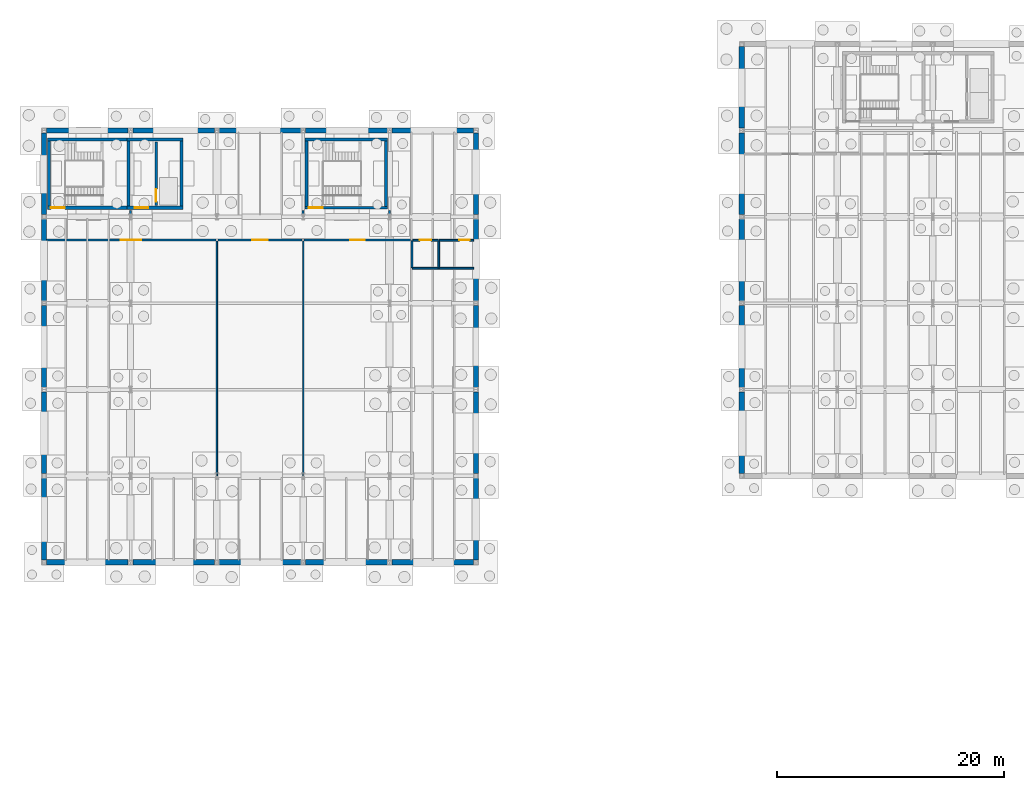
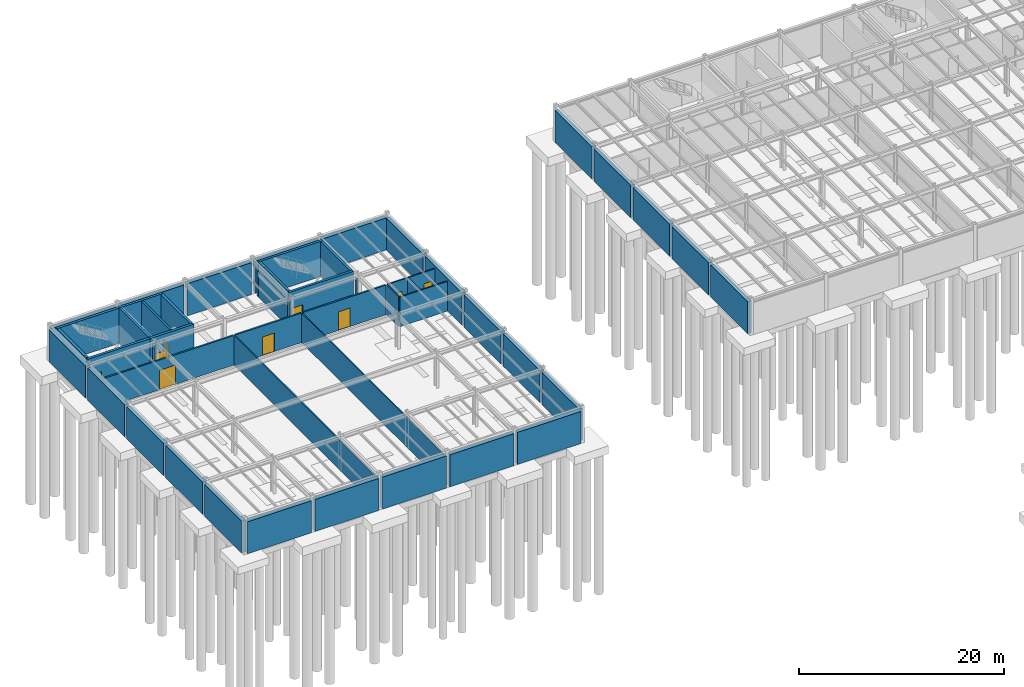
# One storey, part 25 of 33: 50 walls, 9 doors, 9 openings.
"""IFC4 building model written with IfcOpenShell, lengths in metres."""

from ifc_helpers import new_model, si_unit, direction, frame, frame_2d, origin, place, context, subcontext, project, spatial, rectangle, extrude, material, layer, layer_set, type_object, element, fill, save


model = new_model("IFC4")

# Units and contexts
model_context = context("Model", 3, precision=1e-05, world=origin(), true_north=direction((0.0, 1.0)))
body_context = subcontext(model_context, "Body", "Model", "MODEL_VIEW")
ifc_project = project(units=[si_unit("LENGTHUNIT", "METRE"), si_unit("AREAUNIT", "SQUARE_METRE"), si_unit("VOLUMEUNIT", "CUBIC_METRE"), si_unit("PLANEANGLEUNIT", "RADIAN"), si_unit("MASSUNIT", "GRAM", prefix="KILO")], contexts=[model_context])

# Site, building, storey
site_placement = place(None, origin())
site = spatial("IfcSite", under=ifc_project, at=site_placement, CompositionType="ELEMENT")
building_placement = place(site_placement, origin())
building = spatial("IfcBuilding", under=site, at=building_placement, Name="Montecoro Central Library", CompositionType="ELEMENT")
storey_placement = place(building_placement, frame((0.0, 0.0, -4.419921875)))
storey = spatial("IfcBuildingStorey", under=building, at=storey_placement, Name="B1", CompositionType="ELEMENT", Elevation=-4.419921875)

# Walls
ifc_material_1 = material(Name="Concrete C35/45", Category="concrete")
ifc_layer_1 = layer(ifc_material_1, 0.455078125)
ifc_layer_set_1 = layer_set([ifc_layer_1], Name="Concrete C35/45")
wall_type_1 = type_object("IfcWallType", Name="EW-RET-455", PredefinedType="USERDEFINED", material=ifc_layer_set_1)
for number, where, z_axis, x_axis, name in (
    (1, (66.39990234375, 81.202880859375, 0.0), (0.0, 0.0, 1.0), (0.0, 1.0, 0.0), "V2-B1-RW-W-L"),
    (2, (66.39990234375, 88.802978515625, 0.0), (0.0, 0.0, 1.0), (0.0, 1.0, 0.0), "V2-B1-RW-W-M"),
):
    element("IfcWall", number, at=place(storey_placement, frame(where, z_axis=z_axis, x_axis=x_axis)), inside=storey, type_object=wall_type_1, Name=name, ObjectType="RETAININGWALL", PredefinedType="USERDEFINED", context=body_context, shape_type="SweptSolid", body=[
        extrude(rectangle(XDim=7.194091796875, YDim=0.455078125, at=frame_2d((3.59716796875, 0.0))), origin(), (0.0, 0.0, 1.0), 3.81982421875),
    ])
wall_1_placement = place(storey_placement, frame((66.39990234375, 96.403076171875, 0.0), z_axis=(0.0, 0.0, 1.0), x_axis=(0.0, 1.0, 0.0)))
element("IfcWall", 3, at=wall_1_placement, inside=storey, type_object=wall_type_1, Name="V2-B1-RW-W-N", ObjectType="RETAININGWALL", PredefinedType="USERDEFINED", context=body_context, shape_type="SweptSolid", body=[
    extrude(rectangle(XDim=7.19384765625, YDim=0.455078125, at=frame_2d((3.596923828125, 0.0))), origin(), (0.0, 0.0, 1.0), 3.81982421875),
])
for number, where, z_axis, x_axis, name in (
    (4, (66.39990234375, 104.0029296875, 0.0), (0.0, 0.0, 1.0), (0.0, 1.0, 0.0), "V2-B1-RW-W-P"),
    (5, (66.39990234375, 111.60302734375, 0.0), (0.0, 0.0, 1.0), (0.0, 1.0, 0.0), "V2-B1-RW-W-Q"),
    (6, (5.202880859375, 73.39990234375, 0.0), (0.0, 0.0, 1.0), (1.0, 0.0, 0.0), "V4-B1-RW-S-1"),
    (7, (5.202880859375, 111.39990234375, 0.0), (0.0, 0.0, 1.0), (1.0, 0.0, 0.0), "V4-B1-RW-N-1"),
    (8, (12.802978515625, 73.39990234375, 0.0), (0.0, 0.0, 1.0), (1.0, 0.0, 0.0), "V4-B1-RW-S-2"),
    (9, (12.802978515625, 111.39990234375, 0.0), (0.0, 0.0, 1.0), (1.0, 0.0, 0.0), "V4-B1-RW-N-2"),
):
    element("IfcWall", number, at=place(storey_placement, frame(where, z_axis=z_axis, x_axis=x_axis)), inside=storey, type_object=wall_type_1, Name=name, ObjectType="RETAININGWALL", PredefinedType="USERDEFINED", context=body_context, shape_type="SweptSolid", body=[
        extrude(rectangle(XDim=7.194091796875, YDim=0.455078125, at=frame_2d((3.59716796875, 0.0))), origin(), (0.0, 0.0, 1.0), 3.81982421875),
    ])
for number, where, z_axis, x_axis, name in (
    (10, (20.403076171875, 73.39990234375, 0.0), (0.0, 0.0, 1.0), (1.0, 0.0, 0.0), "V4-B1-RW-S-3"),
    (11, (20.403076171875, 111.39990234375, 0.0), (0.0, 0.0, 1.0), (1.0, 0.0, 0.0), "V4-B1-RW-N-3"),
):
    element("IfcWall", number, at=place(storey_placement, frame(where, z_axis=z_axis, x_axis=x_axis)), inside=storey, type_object=wall_type_1, Name=name, ObjectType="RETAININGWALL", PredefinedType="USERDEFINED", context=body_context, shape_type="SweptSolid", body=[
        extrude(rectangle(XDim=7.19384765625, YDim=0.455078125, at=frame_2d((3.596923828125, 0.0))), origin(), (0.0, 0.0, 1.0), 3.81982421875),
    ])
for number, where, z_axis, x_axis, name in (
    (12, (28.0029296875, 73.39990234375, 0.0), (0.0, 0.0, 1.0), (1.0, 0.0, 0.0), "V4-B1-RW-S-4"),
    (13, (28.0029296875, 111.39990234375, 0.0), (0.0, 0.0, 1.0), (1.0, 0.0, 0.0), "V4-B1-RW-N-4"),
    (14, (35.60302734375, 73.39990234375, 0.0), (0.0, 0.0, 1.0), (1.0, 0.0, 0.0), "V4-B1-RW-S-5"),
    (15, (35.60302734375, 111.39990234375, 0.0), (0.0, 0.0, 1.0), (1.0, 0.0, 0.0), "V4-B1-RW-N-5"),
    (16, (5.0, 73.60302734375, 0.0), (0.0, 0.0, 1.0), (0.0, 1.0, 0.0), "V4-B1-RW-W-K"),
    (17, (43.0, 73.60302734375, 0.0), (0.0, 0.0, 1.0), (0.0, 1.0, 0.0), "V4-B1-RW-E-K"),
    (18, (5.0, 81.202880859375, 0.0), (0.0, 0.0, 1.0), (0.0, 1.0, 0.0), "V4-B1-RW-W-L"),
    (19, (43.0, 81.202880859375, 0.0), (0.0, 0.0, 1.0), (0.0, 1.0, 0.0), "V4-B1-RW-E-L"),
    (20, (5.0, 88.802978515625, 0.0), (0.0, 0.0, 1.0), (0.0, 1.0, 0.0), "V4-B1-RW-W-M"),
    (21, (43.0, 88.802978515625, 0.0), (0.0, 0.0, 1.0), (0.0, 1.0, 0.0), "V4-B1-RW-E-M"),
):
    element("IfcWall", number, at=place(storey_placement, frame(where, z_axis=z_axis, x_axis=x_axis)), inside=storey, type_object=wall_type_1, Name=name, ObjectType="RETAININGWALL", PredefinedType="USERDEFINED", context=body_context, shape_type="SweptSolid", body=[
        extrude(rectangle(XDim=7.194091796875, YDim=0.455078125, at=frame_2d((3.59716796875, 0.0))), origin(), (0.0, 0.0, 1.0), 3.81982421875),
    ])
for number, where, z_axis, x_axis, name in (
    (22, (5.0, 96.403076171875, 0.0), (0.0, 0.0, 1.0), (0.0, 1.0, 0.0), "V4-B1-RW-W-N"),
    (23, (43.0, 96.403076171875, 0.0), (0.0, 0.0, 1.0), (0.0, 1.0, 0.0), "V4-B1-RW-E-N"),
):
    element("IfcWall", number, at=place(storey_placement, frame(where, z_axis=z_axis, x_axis=x_axis)), inside=storey, type_object=wall_type_1, Name=name, ObjectType="RETAININGWALL", PredefinedType="USERDEFINED", context=body_context, shape_type="SweptSolid", body=[
        extrude(rectangle(XDim=7.19384765625, YDim=0.455078125, at=frame_2d((3.596923828125, 0.0))), origin(), (0.0, 0.0, 1.0), 3.81982421875),
    ])
for number, where, z_axis, x_axis, name in (
    (24, (5.0, 104.0029296875, 0.0), (0.0, 0.0, 1.0), (0.0, 1.0, 0.0), "V4-B1-RW-W-P"),
    (25, (43.0, 104.0029296875, 0.0), (0.0, 0.0, 1.0), (0.0, 1.0, 0.0), "V4-B1-RW-E-P"),
):
    element("IfcWall", number, at=place(storey_placement, frame(where, z_axis=z_axis, x_axis=x_axis)), inside=storey, type_object=wall_type_1, Name=name, ObjectType="RETAININGWALL", PredefinedType="USERDEFINED", context=body_context, shape_type="SweptSolid", body=[
        extrude(rectangle(XDim=7.194091796875, YDim=0.455078125, at=frame_2d((3.59716796875, 0.0))), origin(), (0.0, 0.0, 1.0), 3.81982421875),
    ])

# Wall, opening, door
ifc_material_2 = material(Name="Gypsum fire-rated partition")
ifc_layer_2 = layer(ifc_material_2, 0.179931640625)
ifc_layer_set_2 = layer_set([ifc_layer_2], Name="Gypsum fire-rated partition")
wall_type_2 = type_object("IfcWallType", Name="IW-COR-180", PredefinedType="PARTITIONING", material=ifc_layer_set_2)
wall_2_placement = place(storey_placement, frame((5.199951171875, 101.75, 0.0), z_axis=(0.0, 0.0, 1.0), x_axis=(1.0, 0.0, 0.0)))
wall_2 = element("IfcWall", 26, at=wall_2_placement, inside=storey, type_object=wall_type_2, Name="CORW-V4-B1-01", PredefinedType="PARTITIONING", context=body_context, shape_type="SweptSolid", body=[
    extrude(rectangle(XDim=14.91015625, YDim=0.179931640625, at=frame_2d((7.455078125, 0.0))), origin(), (0.0, 0.0, 1.0), 3.52001953125),
])
opening_1_placement = place(wall_2_placement, frame((6.554931640625, 0.0, 0.0)))
opening_1 = element("IfcOpeningElement", 27, at=opening_1_placement, cuts=wall_2, Name="Opening ID-10", PredefinedType="OPENING", context=body_context, shape_type="SweptSolid", body=[
    extrude(rectangle(XDim=1.800048828125, YDim=2.300048828125, at=frame_2d((0.89990234375, 1.14990234375))), frame((0.0, 0.099853515625, 0.0), z_axis=(0.0, -1.0, 0.0), x_axis=(1.0, 0.0, 0.0)), (0.0, 0.0, 1.0), 0.199951171875),
])
ifc_material_3 = material(Name="Solid oak and fire-rated steel door", Category="steel")
door_type_1 = type_object("IfcDoorType", Name="ID-AUD-180", OperationType="NOTDEFINED", PredefinedType="DOOR", material=ifc_material_3)
door_1_placement = place(opening_1_placement, origin())
door_1 = element("IfcDoor", 28, at=door_1_placement, inside=storey, type_object=door_type_1, Name="DR-SP-V4-B1-R1P1", OperationType="DOUBLE_DOOR_SINGLE_SWING", OverallHeight=2.300048828125, OverallWidth=1.800048828125, PredefinedType="DOOR", context=body_context, shape_type="SweptSolid", body=[
    extrude(rectangle(XDim=1.800048828125, YDim=2.300048828125, at=frame_2d((0.89990234375, 1.14990234375))), frame((0.0, 0.02490234375, 0.0), z_axis=(0.0, -1.0, 0.0), x_axis=(1.0, 0.0, 0.0)), (0.0, 0.0, 1.0), 0.050048828125),
])
fill(opening_1, door_1)

wall_3_placement = place(storey_placement, frame((20.2900390625, 101.75, 0.0), z_axis=(0.0, 0.0, 1.0), x_axis=(1.0, 0.0, 0.0)))
wall_3 = element("IfcWall", 29, at=wall_3_placement, inside=storey, type_object=wall_type_2, Name="CORW-V4-B1-02", PredefinedType="PARTITIONING", context=body_context, shape_type="SweptSolid", body=[
    extrude(rectangle(XDim=7.419921875, YDim=0.179931640625, at=frame_2d((3.7099609375, 0.0))), origin(), (0.0, 0.0, 1.0), 3.52001953125),
])
opening_2_placement = place(wall_3_placement, frame((3.030029296875, 0.0, 0.0)))
opening_2 = element("IfcOpeningElement", 30, at=opening_2_placement, cuts=wall_3, Name="Opening ID-05", PredefinedType="OPENING", context=body_context, shape_type="SweptSolid", body=[
    extrude(rectangle(XDim=1.360107421875, YDim=2.199951171875, at=frame_2d((0.68017578125, 1.10009765625))), frame((0.0, 0.099853515625, 0.0), z_axis=(0.0, -1.0, 0.0), x_axis=(1.0, 0.0, 0.0)), (0.0, 0.0, 1.0), 0.199951171875),
])
door_type_2 = type_object("IfcDoorType", Name="ID-VLT-136", OperationType="NOTDEFINED", PredefinedType="DOOR", material=ifc_material_3)
door_2_placement = place(opening_2_placement, origin())
door_2 = element("IfcDoor", 31, at=door_2_placement, inside=storey, type_object=door_type_2, Name="DR-SP-V4-B1-R2P1", OperationType="SINGLE_SWING_RIGHT", OverallHeight=2.199951171875, OverallWidth=1.360107421875, PredefinedType="DOOR", context=body_context, shape_type="SweptSolid", body=[
    extrude(rectangle(XDim=1.360107421875, YDim=2.199951171875, at=frame_2d((0.68017578125, 1.10009765625))), frame((0.0, 0.02490234375, 0.0), z_axis=(0.0, -1.0, 0.0), x_axis=(1.0, 0.0, 0.0)), (0.0, 0.0, 1.0), 0.050048828125),
])
fill(opening_2, door_2)

wall_4_placement = place(storey_placement, frame((27.889892578125, 101.75, 0.0), z_axis=(0.0, 0.0, 1.0), x_axis=(1.0, 0.0, 0.0)))
wall_4 = element("IfcWall", 32, at=wall_4_placement, inside=storey, type_object=wall_type_2, Name="CORW-V4-B1-03", PredefinedType="PARTITIONING", context=body_context, shape_type="SweptSolid", body=[
    extrude(rectangle(XDim=9.3701171875, YDim=0.179931640625, at=frame_2d((4.68505859375, 0.0))), origin(), (0.0, 0.0, 1.0), 3.52001953125),
])
opening_3_placement = place(wall_4_placement, frame((4.034912109375, 0.0, 0.0)))
opening_3 = element("IfcOpeningElement", 33, at=opening_3_placement, cuts=wall_4, Name="Opening ID-04", PredefinedType="OPENING", context=body_context, shape_type="SweptSolid", body=[
    extrude(rectangle(XDim=1.300048828125, YDim=2.199951171875, at=frame_2d((0.64990234375, 1.10009765625))), frame((0.0, 0.099853515625, 0.0), z_axis=(0.0, -1.0, 0.0), x_axis=(1.0, 0.0, 0.0)), (0.0, 0.0, 1.0), 0.199951171875),
])
door_type_3 = type_object("IfcDoorType", Name="ID-VLT-130", OperationType="NOTDEFINED", PredefinedType="DOOR", material=ifc_material_3)
door_3_placement = place(opening_3_placement, origin())
door_3 = element("IfcDoor", 34, at=door_3_placement, inside=storey, type_object=door_type_3, Name="DR-SP-V4-B1-R3P1", OperationType="SINGLE_SWING_LEFT", OverallHeight=2.199951171875, OverallWidth=1.300048828125, PredefinedType="DOOR", context=body_context, shape_type="SweptSolid", body=[
    extrude(rectangle(XDim=1.300048828125, YDim=2.199951171875, at=frame_2d((0.64990234375, 1.10009765625))), frame((0.0, 0.02490234375, 0.0), z_axis=(0.0, -1.0, 0.0), x_axis=(1.0, 0.0, 0.0)), (0.0, 0.0, 1.0), 0.050048828125),
])
fill(opening_3, door_3)

# Walls
for number, where, z_axis, x_axis, name in (
    (35, (12.60009765625, 104.0400390625, 0.0), (0.0, 0.0, 1.0), (0.0, 1.0, 0.0), "PIL-V4-B1-1"),
    (36, (27.800048828125, 104.0400390625, 0.0), (0.0, 0.0, 1.0), (0.0, 1.0, 0.0), "PIL-V4-B1-2"),
    (37, (35.39990234375, 104.0400390625, 0.0), (0.0, 0.0, 1.0), (0.0, 1.0, 0.0), "PIL-V4-B1-3"),
):
    element("IfcWall", number, at=place(storey_placement, frame(where, z_axis=z_axis, x_axis=x_axis)), inside=storey, type_object=wall_type_2, Name=name, PredefinedType="PARTITIONING", context=body_context, shape_type="SweptSolid", body=[
        extrude(rectangle(XDim=0.320068359375, YDim=0.179931640625, at=frame_2d((0.16015625, 0.0))), origin(), (0.0, 0.0, 1.0), 3.52001953125),
    ])

# Wall, opening, door
ifc_material_4 = material(Name="Concrete C32/40", Category="concrete")
ifc_layer_3 = layer(ifc_material_4, 0.219970703125)
ifc_layer_set_3 = layer_set([ifc_layer_3], Name="Concrete C32/40")
wall_type_3 = type_object("IfcWallType", Name="IW-FFL-220", PredefinedType="SOLIDWALL", material=ifc_layer_set_3)
wall_5_placement = place(storey_placement, frame((14.85009765625, 104.800048828125, 0.0), z_axis=(0.0, 0.0, 1.0), x_axis=(0.0, 1.0, 0.0)))
wall_5 = element("IfcWall", 38, at=wall_5_placement, inside=storey, type_object=wall_type_3, Name="C5-B1-WLSH", PredefinedType="SOLIDWALL", context=body_context, shape_type="SweptSolid", body=[
    extrude(rectangle(XDim=5.599853515625, YDim=0.219970703125, at=frame_2d((2.7998046875, 0.0))), origin(), (0.0, 0.0, 1.0), 4.184814453125),
])
opening_4_placement = place(wall_5_placement, frame((0.35009765625, 0.0, 0.0)))
opening_4 = element("IfcOpeningElement", 39, at=opening_4_placement, cuts=wall_5, Name="Opening LD-01", PredefinedType="OPENING", context=body_context, shape_type="SweptSolid", body=[
    extrude(rectangle(XDim=1.10009765625, YDim=2.14990234375, at=frame_2d((0.550048828125, 1.074951171875))), frame((0.0, 0.119873046875, 0.0), z_axis=(0.0, -1.0, 0.0), x_axis=(1.0, 0.0, 0.0)), (0.0, 0.0, 1.0), 0.239990234375),
])
door_type_4 = type_object("IfcDoorType", Name="LD-LIFT-110", OperationType="NOTDEFINED", PredefinedType="DOOR", material=ifc_material_3)
door_4_placement = place(opening_4_placement, origin())
door_4 = element("IfcDoor", 40, at=door_4_placement, inside=storey, type_object=door_type_4, Name="C5-B1-LD-PL-05", OperationType="SLIDING_TO_LEFT", OverallHeight=2.14990234375, OverallWidth=1.10009765625, PredefinedType="DOOR", context=body_context, shape_type="SweptSolid", body=[
    extrude(rectangle(XDim=1.10009765625, YDim=2.14990234375, at=frame_2d((0.550048828125, 1.074951171875))), frame((0.0, 0.02490234375, 0.0), z_axis=(0.0, -1.0, 0.0), x_axis=(1.0, 0.0, 0.0)), (0.0, 0.0, 1.0), 0.050048828125),
])
fill(opening_4, door_4)

# Walls
ifc_material_5 = material(Name="Gypsum metal-stud partition")
ifc_layer_4 = layer(ifc_material_5, 0.1201171875)
ifc_layer_set_4 = layer_set([ifc_layer_4], Name="Gypsum metal-stud partition")
wall_type_4 = type_object("IfcWallType", Name="IW-PRT-120", PredefinedType="PARTITIONING", material=ifc_layer_set_4)
wall_6_placement = place(storey_placement, frame((27.800048828125, 73.719970703125, 0.0), z_axis=(0.0, 0.0, 1.0), x_axis=(0.0, 1.0, 0.0)))
element("IfcWall", 41, at=wall_6_placement, inside=storey, type_object=wall_type_4, Name="DIVW-V4-B1-02-1", PredefinedType="PARTITIONING", context=body_context, shape_type="SweptSolid", body=[
    extrude(rectangle(XDim=27.93994140625, YDim=0.1201171875, at=frame_2d((13.969970703125, 0.0))), origin(), (0.0, 0.0, 1.0), 3.52001953125),
])
ifc_layer_5 = layer(ifc_material_5, 0.139892578125)
ifc_layer_set_5 = layer_set([ifc_layer_5], Name="Gypsum metal-stud partition")
wall_type_5 = type_object("IfcWallType", Name="IW-PRT-140", PredefinedType="PARTITIONING", material=ifc_layer_set_5)
wall_7_placement = place(storey_placement, frame((20.199951171875, 73.719970703125, 0.0), z_axis=(0.0, 0.0, 1.0), x_axis=(0.0, 1.0, 0.0)))
element("IfcWall", 42, at=wall_7_placement, inside=storey, type_object=wall_type_5, Name="DIVW-V4-B1-01-1", PredefinedType="PARTITIONING", context=body_context, shape_type="SweptSolid", body=[
    extrude(rectangle(XDim=27.93994140625, YDim=0.139892578125, at=frame_2d((13.969970703125, 0.0))), origin(), (0.0, 0.0, 1.0), 3.52001953125),
])

# Wall, opening, door
ifc_layer_6 = layer(ifc_material_1, 0.260009765625)
ifc_layer_set_6 = layer_set([ifc_layer_6], Name="Concrete C35/45")
wall_type_6 = type_object("IfcWallType", Name="IW-SHR-260", PredefinedType="SHEAR", material=ifc_layer_set_6)
wall_8_placement = place(storey_placement, frame((27.969970703125, 104.60009765625, 0.0), z_axis=(0.0, 0.0, 1.0), x_axis=(1.0, 0.0, 0.0)))
wall_8 = element("IfcWall", 43, at=wall_8_placement, inside=storey, type_object=wall_type_6, Name="C9-B1-WS", PredefinedType="SHEAR", context=body_context, shape_type="SweptSolid", body=[
    extrude(rectangle(XDim=7.260009765625, YDim=0.260009765625, at=frame_2d((3.6298828125, 0.0))), origin(), (0.0, 0.0, 1.0), 4.184814453125),
])
opening_5_placement = place(wall_8_placement, frame((0.31005859375, 0.0, 0.0)))
opening_5 = element("IfcOpeningElement", 44, at=opening_5_placement, cuts=wall_8, Name="Opening ID-01", PredefinedType="OPENING", context=body_context, shape_type="SweptSolid", body=[
    extrude(rectangle(XDim=1.219970703125, YDim=2.179931640625, at=frame_2d((0.60986328125, 1.08984375))), frame((0.0, 0.139892578125, 0.0), z_axis=(0.0, -1.0, 0.0), x_axis=(1.0, 0.0, 0.0)), (0.0, 0.0, 1.0), 0.280029296875),
])
door_type_5 = type_object("IfcDoorType", Name="ID-STR-140", OperationType="NOTDEFINED", PredefinedType="DOOR", material=ifc_material_3)
door_5_placement = place(opening_5_placement, origin())
door_5 = element("IfcDoor", 45, at=door_5_placement, inside=storey, type_object=door_type_5, Name="C9-B1-DSTR", OperationType="SINGLE_SWING_LEFT", OverallHeight=2.179931640625, OverallWidth=1.219970703125, PredefinedType="DOOR", context=body_context, shape_type="SweptSolid", body=[
    extrude(rectangle(XDim=1.219970703125, YDim=2.179931640625, at=frame_2d((0.60986328125, 1.08984375))), frame((0.0, 0.02490234375, 0.0), z_axis=(0.0, -1.0, 0.0), x_axis=(1.0, 0.0, 0.0)), (0.0, 0.0, 1.0), 0.050048828125),
])
fill(opening_5, door_5)

# Walls
wall_9_placement = place(storey_placement, frame((27.969970703125, 110.60009765625, 0.0), z_axis=(0.0, 0.0, 1.0), x_axis=(1.0, 0.0, 0.0)))
element("IfcWall", 46, at=wall_9_placement, inside=storey, type_object=wall_type_6, Name="C9-B1-WN", PredefinedType="SHEAR", context=body_context, shape_type="SweptSolid", body=[
    extrude(rectangle(XDim=7.260009765625, YDim=0.260009765625, at=frame_2d((3.6298828125, 0.0))), origin(), (0.0, 0.0, 1.0), 4.184814453125),
])
for number, where, z_axis, x_axis, name in (
    (47, (28.10009765625, 104.72998046875, 0.0), (0.0, 0.0, 1.0), (0.0, 1.0, 0.0), "C9-B1-WW"),
    (48, (35.10009765625, 104.72998046875, 0.0), (0.0, 0.0, 1.0), (0.0, 1.0, 0.0), "C9-B1-WE"),
):
    element("IfcWall", number, at=place(storey_placement, frame(where, z_axis=z_axis, x_axis=x_axis)), inside=storey, type_object=wall_type_6, Name=name, PredefinedType="SHEAR", context=body_context, shape_type="SweptSolid", body=[
        extrude(rectangle(XDim=5.739990234375, YDim=0.260009765625, at=frame_2d((2.8701171875, 0.0))), origin(), (0.0, 0.0, 1.0), 4.184814453125),
    ])

# Wall, opening, door
ifc_layer_7 = layer(ifc_material_1, 0.280029296875)
ifc_layer_set_7 = layer_set([ifc_layer_7], Name="Concrete C35/45")
wall_type_7 = type_object("IfcWallType", Name="IW-SHR-280", PredefinedType="SHEAR", material=ifc_layer_set_7)
wall_10_placement = place(storey_placement, frame((12.280029296875, 104.60009765625, 0.0), z_axis=(0.0, 0.0, 1.0), x_axis=(1.0, 0.0, 0.0)))
wall_10 = element("IfcWall", 49, at=wall_10_placement, inside=storey, type_object=wall_type_7, Name="C5-B1-LWS", PredefinedType="SHEAR", context=body_context, shape_type="SweptSolid", body=[
    extrude(rectangle(XDim=4.9599609375, YDim=0.280029296875, at=frame_2d((2.47998046875, 0.0))), origin(), (0.0, 0.0, 1.0), 4.184814453125),
])
opening_6_placement = place(wall_10_placement, frame((0.68994140625, 0.0, 0.0)))
opening_6 = element("IfcOpeningElement", 50, at=opening_6_placement, cuts=wall_10, Name="Opening ID-03", PredefinedType="OPENING", context=body_context, shape_type="SweptSolid", body=[
    extrude(rectangle(XDim=1.199951171875, YDim=2.159912109375, at=frame_2d((0.60009765625, 1.080078125))), frame((0.0, 0.14990234375, 0.0), z_axis=(0.0, -1.0, 0.0), x_axis=(1.0, 0.0, 0.0)), (0.0, 0.0, 1.0), 0.300048828125),
])
door_type_6 = type_object("IfcDoorType", Name="ID-FFL-120", OperationType="NOTDEFINED", PredefinedType="DOOR", material=ifc_material_3)
door_6_placement = place(opening_6_placement, origin())
door_6 = element("IfcDoor", 51, at=door_6_placement, inside=storey, type_object=door_type_6, Name="C5-B1-DLOB", OperationType="SINGLE_SWING_LEFT", OverallHeight=2.159912109375, OverallWidth=1.199951171875, PredefinedType="DOOR", context=body_context, shape_type="SweptSolid", body=[
    extrude(rectangle(XDim=1.199951171875, YDim=2.159912109375, at=frame_2d((0.60009765625, 1.080078125))), frame((0.0, 0.02490234375, 0.0), z_axis=(0.0, -1.0, 0.0), x_axis=(1.0, 0.0, 0.0)), (0.0, 0.0, 1.0), 0.050048828125),
])
fill(opening_6, door_6)

# Walls
wall_11_placement = place(storey_placement, frame((17.239990234375, 110.60009765625, 0.0), z_axis=(0.0, 0.0, 1.0), x_axis=(-1.0, 0.0, 0.0)))
element("IfcWall", 52, at=wall_11_placement, inside=storey, type_object=wall_type_7, Name="C5-B1-LWN", PredefinedType="SHEAR", context=body_context, shape_type="SweptSolid", body=[
    extrude(rectangle(XDim=4.9599609375, YDim=0.280029296875, at=frame_2d((2.47998046875, 0.0))), origin(), (0.0, 0.0, 1.0), 4.184814453125),
])
wall_12_placement = place(storey_placement, frame((17.10009765625, 104.739990234375, 0.0), z_axis=(0.0, 0.0, 1.0), x_axis=(0.0, 1.0, 0.0)))
element("IfcWall", 53, at=wall_12_placement, inside=storey, type_object=wall_type_7, Name="C5-B1-LWE", PredefinedType="SHEAR", context=body_context, shape_type="SweptSolid", body=[
    extrude(rectangle(XDim=5.719970703125, YDim=0.280029296875, at=frame_2d((2.85986328125, 0.0))), origin(), (0.0, 0.0, 1.0), 4.184814453125),
])

# Wall, opening, door
wall_13_placement = place(storey_placement, frame((5.280029296875, 104.60009765625, 0.0), z_axis=(0.0, 0.0, 1.0), x_axis=(1.0, 0.0, 0.0)))
wall_13 = element("IfcWall", 54, at=wall_13_placement, inside=storey, type_object=wall_type_7, Name="C5-B1-WS", PredefinedType="SHEAR", context=body_context, shape_type="SweptSolid", body=[
    extrude(rectangle(XDim=7.280029296875, YDim=0.280029296875, at=frame_2d((3.64013671875, 0.0))), origin(), (0.0, 0.0, 1.0), 4.184814453125),
])
opening_7_placement = place(wall_13_placement, frame((0.320068359375, 0.0, 0.0)))
opening_7 = element("IfcOpeningElement", 55, at=opening_7_placement, cuts=wall_13, Name="Opening ID-01", PredefinedType="OPENING", context=body_context, shape_type="SweptSolid", body=[
    extrude(rectangle(XDim=1.219970703125, YDim=2.179931640625, at=frame_2d((0.60986328125, 1.08984375))), frame((0.0, 0.14990234375, 0.0), z_axis=(0.0, -1.0, 0.0), x_axis=(1.0, 0.0, 0.0)), (0.0, 0.0, 1.0), 0.300048828125),
])
door_7_placement = place(opening_7_placement, origin())
door_7 = element("IfcDoor", 56, at=door_7_placement, inside=storey, type_object=door_type_5, Name="C5-B1-DSTR", OperationType="SINGLE_SWING_RIGHT", OverallHeight=2.179931640625, OverallWidth=1.219970703125, PredefinedType="DOOR", context=body_context, shape_type="SweptSolid", body=[
    extrude(rectangle(XDim=1.219970703125, YDim=2.179931640625, at=frame_2d((0.60986328125, 1.08984375))), frame((0.0, 0.02490234375, 0.0), z_axis=(0.0, -1.0, 0.0), x_axis=(1.0, 0.0, 0.0)), (0.0, 0.0, 1.0), 0.050048828125),
])
fill(opening_7, door_7)

# Walls
wall_14_placement = place(storey_placement, frame((5.280029296875, 110.60009765625, 0.0), z_axis=(0.0, 0.0, 1.0), x_axis=(1.0, 0.0, 0.0)))
element("IfcWall", 57, at=wall_14_placement, inside=storey, type_object=wall_type_7, Name="C5-B1-WN", PredefinedType="SHEAR", context=body_context, shape_type="SweptSolid", body=[
    extrude(rectangle(XDim=7.280029296875, YDim=0.280029296875, at=frame_2d((3.64013671875, 0.0))), origin(), (0.0, 0.0, 1.0), 4.184814453125),
])
for number, where, z_axis, x_axis, name in (
    (58, (5.419921875, 104.739990234375, 0.0), (0.0, 0.0, 1.0), (0.0, 1.0, 0.0), "C5-B1-WW"),
    (59, (12.419921875, 104.739990234375, 0.0), (0.0, 0.0, 1.0), (0.0, 1.0, 0.0), "C5-B1-WE"),
):
    element("IfcWall", number, at=place(storey_placement, frame(where, z_axis=z_axis, x_axis=x_axis)), inside=storey, type_object=wall_type_7, Name=name, PredefinedType="SHEAR", context=body_context, shape_type="SweptSolid", body=[
        extrude(rectangle(XDim=5.719970703125, YDim=0.280029296875, at=frame_2d((2.85986328125, 0.0))), origin(), (0.0, 0.0, 1.0), 4.184814453125),
    ])
ifc_material_6 = material(Name="Moisture-resistant ceramic-tiled partition")
ifc_layer_8 = layer(ifc_material_6, 0.14990234375)
ifc_layer_set_8 = layer_set([ifc_layer_8], Name="Moisture-resistant ceramic-tiled partition")
wall_type_8 = type_object("IfcWallType", Name="IW-WET-150", PredefinedType="PARTITIONING", material=ifc_layer_set_8)
wall_15_placement = place(storey_placement, frame((37.3798828125, 99.27001953125, 0.0), z_axis=(0.0, 0.0, 1.0), x_axis=(1.0, 0.0, 0.0)))
element("IfcWall", 60, at=wall_15_placement, inside=storey, type_object=wall_type_8, Name="WC-V4-B1-WBK", PredefinedType="PARTITIONING", context=body_context, shape_type="SweptSolid", body=[
    extrude(rectangle(XDim=5.420166015625, YDim=0.14990234375, at=frame_2d((2.7099609375, 0.0))), origin(), (0.0, 0.0, 1.0), 3.52001953125),
])
for number, where, z_axis, x_axis, name in (
    (61, (37.3798828125, 99.330078125, 0.0), (0.0, 0.0, 1.0), (0.0, 1.0, 0.0), "WC-V4-B1-WW"),
    (62, (39.72998046875, 99.330078125, 0.0), (0.0, 0.0, 1.0), (0.0, 1.0, 0.0), "WC-V4-B1-WM"),
):
    element("IfcWall", number, at=place(storey_placement, frame(where, z_axis=z_axis, x_axis=x_axis)), inside=storey, type_object=wall_type_8, Name=name, PredefinedType="PARTITIONING", context=body_context, shape_type="SweptSolid", body=[
        extrude(rectangle(XDim=2.35986328125, YDim=0.14990234375, at=frame_2d((1.179931640625, 0.0))), origin(), (0.0, 0.0, 1.0), 3.52001953125),
    ])

# Wall, opening, door
wall_16_placement = place(storey_placement, frame((37.43994140625, 101.75, 0.0), z_axis=(0.0, 0.0, 1.0), x_axis=(1.0, 0.0, 0.0)))
wall_16 = element("IfcWall", 63, at=wall_16_placement, inside=storey, type_object=wall_type_8, Name="WC-V4-B1-WFA", PredefinedType="PARTITIONING", context=body_context, shape_type="SweptSolid", body=[
    extrude(rectangle(XDim=2.25, YDim=0.14990234375, at=frame_2d((1.125, 0.0))), origin(), (0.0, 0.0, 1.0), 3.52001953125),
])
opening_8_placement = place(wall_16_placement, frame((0.625, 0.0, 0.0)))
opening_8 = element("IfcOpeningElement", 64, at=opening_8_placement, cuts=wall_16, Name="Opening ID-15", PredefinedType="OPENING", context=body_context, shape_type="SweptSolid", body=[
    extrude(rectangle(XDim=1.0, YDim=2.14990234375, at=frame_2d((0.5, 1.074951171875))), frame((0.0, 0.0849609375, 0.0), z_axis=(0.0, -1.0, 0.0), x_axis=(1.0, 0.0, 0.0)), (0.0, 0.0, 1.0), 0.169921875),
])
door_type_7 = type_object("IfcDoorType", Name="ID-AWC-100", OperationType="NOTDEFINED", PredefinedType="DOOR", material=ifc_material_3)
door_8_placement = place(opening_8_placement, origin())
door_8 = element("IfcDoor", 65, at=door_8_placement, inside=storey, type_object=door_type_7, Name="DR-SP-V4-B1-AWC", OperationType="SINGLE_SWING_RIGHT", OverallHeight=2.14990234375, OverallWidth=1.0, PredefinedType="DOOR", context=body_context, shape_type="SweptSolid", body=[
    extrude(rectangle(XDim=1.0, YDim=2.14990234375, at=frame_2d((0.5, 1.074951171875))), frame((0.0, 0.02490234375, 0.0), z_axis=(0.0, -1.0, 0.0), x_axis=(1.0, 0.0, 0.0)), (0.0, 0.0, 1.0), 0.050048828125),
])
fill(opening_8, door_8)

wall_17_placement = place(storey_placement, frame((39.77001953125, 101.75, 0.0), z_axis=(0.0, 0.0, 1.0), x_axis=(1.0, 0.0, 0.0)))
wall_17 = element("IfcWall", 66, at=wall_17_placement, inside=storey, type_object=wall_type_8, Name="WC-V4-B1-WFP", PredefinedType="PARTITIONING", context=body_context, shape_type="SweptSolid", body=[
    extrude(rectangle(XDim=3.030029296875, YDim=0.14990234375, at=frame_2d((1.51513671875, 0.0))), origin(), (0.0, 0.0, 1.0), 3.52001953125),
])
opening_9_placement = place(wall_17_placement, frame((1.780029296875, 0.0, 0.0)))
opening_9 = element("IfcOpeningElement", 67, at=opening_9_placement, cuts=wall_17, Name="Opening ID-16", PredefinedType="OPENING", context=body_context, shape_type="SweptSolid", body=[
    extrude(rectangle(XDim=0.89990234375, YDim=2.14990234375, at=frame_2d((0.449951171875, 1.074951171875))), frame((0.0, 0.0849609375, 0.0), z_axis=(0.0, -1.0, 0.0), x_axis=(1.0, 0.0, 0.0)), (0.0, 0.0, 1.0), 0.169921875),
])
door_type_8 = type_object("IfcDoorType", Name="ID-WC-090", OperationType="NOTDEFINED", PredefinedType="DOOR", material=ifc_material_3)
door_9_placement = place(opening_9_placement, origin())
door_9 = element("IfcDoor", 68, at=door_9_placement, inside=storey, type_object=door_type_8, Name="DR-SP-V4-B1-PWC", OperationType="SINGLE_SWING_LEFT", OverallHeight=2.14990234375, OverallWidth=0.89990234375, PredefinedType="DOOR", context=body_context, shape_type="SweptSolid", body=[
    extrude(rectangle(XDim=0.89990234375, YDim=2.14990234375, at=frame_2d((0.449951171875, 1.074951171875))), frame((0.0, 0.02490234375, 0.0), z_axis=(0.0, -1.0, 0.0), x_axis=(1.0, 0.0, 0.0)), (0.0, 0.0, 1.0), 0.050048828125),
])
fill(opening_9, door_9)

save(model, "model.ifc")
